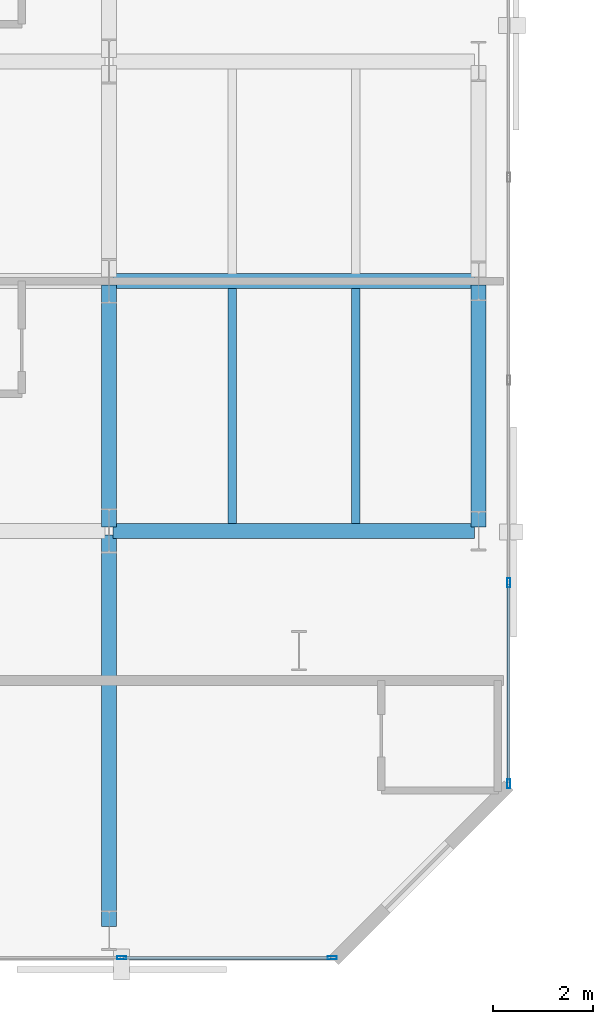
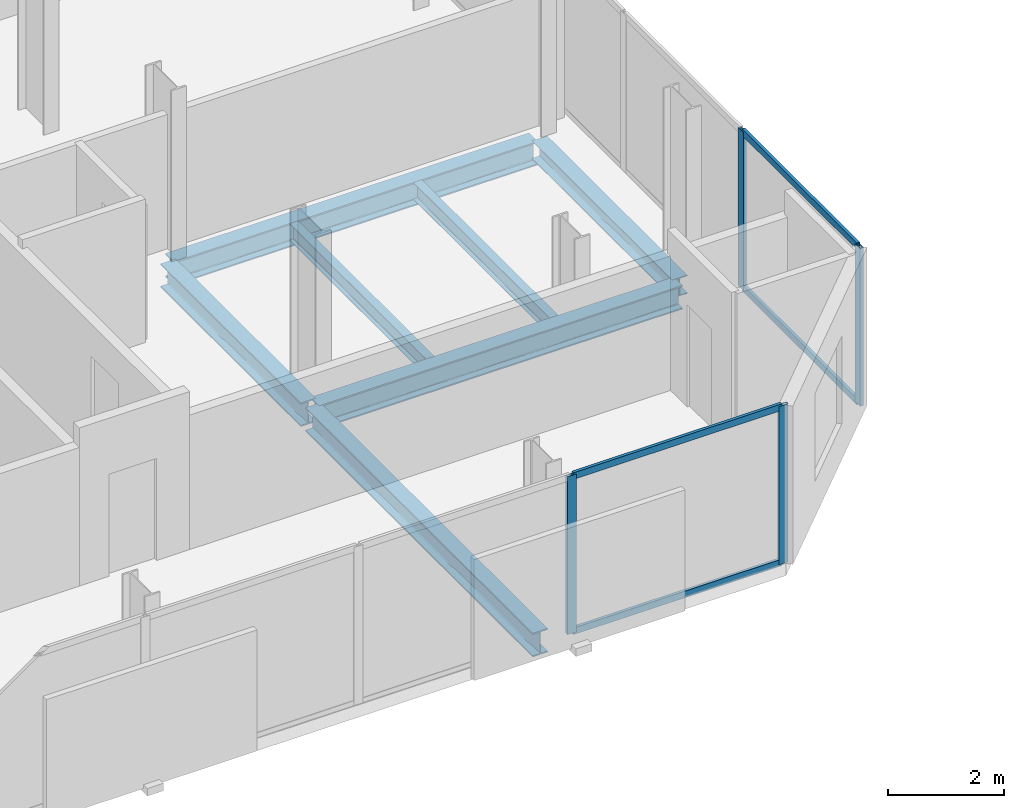
# One storey, part 7 of 32: 8 members, 7 beams, 2 elements without a shape of their own.
"""IFC4 building model written with IfcOpenShell, lengths in metres."""

from ifc_helpers import new_model, si_unit, direction, frame, origin, origin_2d, place, context, subcontext, project, spatial, hollow_rectangle, i_section, extrude, material, layer, layer_set, material_profile, profile_set, type_object, element, aggregate, save


model = new_model("IFC4")

# Units and contexts
model_context = context("Model", 3, precision=1e-05, world=origin(), true_north=direction((0.0, 1.0)))
body_context = subcontext(model_context, "Body", "Model", "MODEL_VIEW")
ifc_project = project(units=[si_unit("LENGTHUNIT", "METRE"), si_unit("AREAUNIT", "SQUARE_METRE"), si_unit("VOLUMEUNIT", "CUBIC_METRE"), si_unit("PLANEANGLEUNIT", "RADIAN"), si_unit("MASSUNIT", "GRAM", prefix="KILO")], contexts=[model_context])

# Site, building, storey
site_placement = place(None, origin())
site = spatial("IfcSite", under=ifc_project, at=site_placement, CompositionType="ELEMENT")
building_placement = place(site_placement, origin())
building = spatial("IfcBuilding", under=site, at=building_placement, Name="Catumbela Crestline Tower", CompositionType="ELEMENT")
storey_placement = place(building_placement, frame((0.0, 0.0, 65.4)))
storey = spatial("IfcBuildingStorey", under=building, at=storey_placement, Name="L16", CompositionType="ELEMENT", Elevation=65.4)

# Beams
ifc_material_1 = material(Name="Structural steel S355J2", Category="steel")
ifc_material_profile_1 = material_profile(ifc_material_1, i_section(OverallWidth=0.3, OverallDepth=0.5, WebThickness=0.0145, FlangeThickness=0.028, FilletRadius=0.027, at=origin_2d()), Name="HEB 500")
ifc_profile_set_1 = profile_set([ifc_material_profile_1], Name="Structural steel S355J2")
beam_type_1 = type_object("IfcBeamType", Name="BG-HEB500", PredefinedType="BEAM", material=ifc_profile_set_1)
for number, where, z_axis, x_axis, name in (
    (1, (16.08, 8.6, -0.51), (1.0, 0.0, 0.0), (0.0, 1.0, 0.0), "L16 Beam BM-L16-WEW50"),
    (2, (16.08, 13.6, -0.51), (1.0, 0.0, 0.0), (0.0, 1.0, 0.0), "L16 Beam BM-L16-WEW53"),
):
    element("IfcBeam", number, at=place(storey_placement, frame(where, z_axis=z_axis, x_axis=x_axis)), inside=storey, type_object=beam_type_1, Name=name, PredefinedType="BEAM", context=body_context, shape_type="SweptSolid", body=[
        extrude(i_section(OverallWidth=0.3, OverallDepth=0.5, WebThickness=0.0145, FlangeThickness=0.028, FilletRadius=0.027, at=origin_2d()), origin(), (0.0, 0.0, 1.0), 7.24),
    ])
beam_1_placement = place(storey_placement, frame((16.0, 0.68, -0.51), z_axis=(0.0, 1.0, 0.0), x_axis=(-1.0, 0.0, 0.0)))
element("IfcBeam", 3, at=beam_1_placement, inside=storey, type_object=beam_type_1, Name="L16 Beam BM-L16-WNS64", PredefinedType="BEAM", context=body_context, shape_type="SweptSolid", body=[
    extrude(i_section(OverallWidth=0.3, OverallDepth=0.5, WebThickness=0.0145, FlangeThickness=0.028, FilletRadius=0.027, at=origin_2d()), origin(), (0.0, 0.0, 1.0), 7.84),
])
beam_2_placement = place(storey_placement, frame((16.0, 8.68, -0.51), z_axis=(0.0, 1.0, 0.0), x_axis=(-1.0, 0.0, 0.0)))
element("IfcBeam", 4, at=beam_2_placement, inside=storey, type_object=beam_type_1, Name="L16 Beam BM-L16-WNS65", PredefinedType="BEAM", context=body_context, shape_type="SweptSolid", body=[
    extrude(i_section(OverallWidth=0.3, OverallDepth=0.5, WebThickness=0.0145, FlangeThickness=0.028, FilletRadius=0.027, at=origin_2d()), origin(), (0.0, 0.0, 1.0), 4.84),
])
ifc_material_profile_2 = material_profile(ifc_material_1, i_section(OverallWidth=0.17, OverallDepth=0.36, WebThickness=0.008, FlangeThickness=0.0127, FilletRadius=0.018, at=origin_2d()), Name="IPE 360")
ifc_profile_set_2 = profile_set([ifc_material_profile_2], Name="Structural steel S355J2")
beam_type_2 = type_object("IfcBeamType", Name="BJ-IPE360", PredefinedType="JOIST", material=ifc_profile_set_2)
for number, where, z_axis, x_axis, name in (
    (5, (18.467, 8.747, -0.44), (0.0, 1.0, 0.0), (-1.0, 0.0, 0.0), "L16 Joist JS-L16-WG74"),
    (6, (20.933, 8.747, -0.44), (0.0, 1.0, 0.0), (-1.0, 0.0, 0.0), "L16 Joist JS-L16-WG75"),
):
    element("IfcBeam", number, at=place(storey_placement, frame(where, z_axis=z_axis, x_axis=x_axis)), inside=storey, type_object=beam_type_2, Name=name, PredefinedType="JOIST", context=body_context, shape_type="SweptSolid", body=[
        extrude(i_section(OverallWidth=0.17, OverallDepth=0.36, WebThickness=0.008, FlangeThickness=0.0127, FilletRadius=0.018, at=origin_2d()), origin(), (0.0, 0.0, 1.0), 4.706),
    ])

# Curtain wall, members
ifc_material_2 = material(Name="Aluminium alloy AW-6060-T66", Category="aluminium")
ifc_layer = layer(ifc_material_2, 0.18, Name="Aluminium alloy AW-6060-T66")
ifc_layer_set = layer_set([ifc_layer], Name="Aluminium alloy AW-6060-T66")
curtain_wall_type = type_object("IfcCurtainWallType", Name="CWU-Z1", PredefinedType="USERDEFINED", material=ifc_layer_set)
curtain_wall_1_placement = place(storey_placement, origin())
curtain_wall_1 = element("IfcCurtainWall", 7, at=curtain_wall_1_placement, inside=storey, type_object=curtain_wall_type, Name="L16 Unitised Curtain Wall CW-L16-E0S1", ObjectType="UNITISED", PredefinedType="USERDEFINED")
ifc_material_profile_3 = material_profile(ifc_material_2, hollow_rectangle(XDim=0.065, YDim=0.18, WallThickness=0.004, at=origin_2d()), Name="ALU 180x65x4")
ifc_profile_set_3 = profile_set([ifc_material_profile_3], Name="Aluminium alloy AW-6060-T66")
member_type_1 = type_object("IfcMemberType", Name="MUL-180X65", PredefinedType="MULLION", material=ifc_profile_set_3)
member_1_placement = place(storey_placement, frame((16.25, 0.05, 0.0), z_axis=(0.0, 0.0, 1.0), x_axis=(0.0, 1.0, 0.0)))
member_1 = element("IfcMember", 8, at=member_1_placement, type_object=member_type_1, Name="CWU-Z1 mullion 4", PredefinedType="MULLION", context=body_context, shape_type="SweptSolid", body=[
    extrude(hollow_rectangle(XDim=0.065, YDim=0.18, WallThickness=0.004, at=origin_2d()), origin(), (0.0, 0.0, 1.0), 3.33),
])
member_2_placement = place(storey_placement, frame((20.4675, 0.05, 0.0), z_axis=(0.0, 0.0, 1.0), x_axis=(0.0, 1.0, 0.0)))
member_2 = element("IfcMember", 9, at=member_2_placement, type_object=member_type_1, Name="CWU-Z1 mullion 5", PredefinedType="MULLION", context=body_context, shape_type="SweptSolid", body=[
    extrude(hollow_rectangle(XDim=0.065, YDim=0.18, WallThickness=0.004, at=origin_2d()), origin(), (0.0, 0.0, 1.0), 3.33),
])

curtain_wall_2_placement = place(storey_placement, origin())
curtain_wall_2 = element("IfcCurtainWall", 10, at=curtain_wall_2_placement, inside=storey, type_object=curtain_wall_type, Name="L16 Unitised Curtain Wall CW-L16-E2S1", ObjectType="UNITISED", PredefinedType="USERDEFINED")
member_3_placement = place(storey_placement, frame((24.0, 3.5325, 0.0), z_axis=(0.0, 0.0, 1.0), x_axis=(-1.0, 0.0, 0.0)))
member_3 = element("IfcMember", 11, at=member_3_placement, type_object=member_type_1, Name="CWU-Z1 mullion 1", PredefinedType="MULLION", context=body_context, shape_type="SweptSolid", body=[
    extrude(hollow_rectangle(XDim=0.065, YDim=0.18, WallThickness=0.004, at=origin_2d()), origin(), (0.0, 0.0, 1.0), 3.33),
])
member_4_placement = place(storey_placement, frame((24.0, 7.56, 0.0), z_axis=(0.0, 0.0, 1.0), x_axis=(-1.0, 0.0, 0.0)))
member_4 = element("IfcMember", 12, at=member_4_placement, type_object=member_type_1, Name="CWU-Z1 mullion 2", PredefinedType="MULLION", context=body_context, shape_type="SweptSolid", body=[
    extrude(hollow_rectangle(XDim=0.065, YDim=0.18, WallThickness=0.004, at=origin_2d()), origin(), (0.0, 0.0, 1.0), 3.33),
])

# Beam
ifc_material_profile_4 = material_profile(ifc_material_1, i_section(OverallWidth=0.3, OverallDepth=0.39, WebThickness=0.011, FlangeThickness=0.019, FilletRadius=0.027, at=origin_2d()), Name="HEA 400")
ifc_profile_set_4 = profile_set([ifc_material_profile_4], Name="Structural steel S355J2")
beam_type_3 = type_object("IfcBeamType", Name="BS-HEA400", PredefinedType="SPANDREL", material=ifc_profile_set_4)
beam_3_placement = place(storey_placement, frame((23.4, 8.68, -0.455), z_axis=(0.0, 1.0, 0.0), x_axis=(-1.0, 0.0, 0.0)))
element("IfcBeam", 13, at=beam_3_placement, inside=storey, type_object=beam_type_3, Name="L16 Spandrel SP-L16-WNS68", PredefinedType="SPANDREL", context=body_context, shape_type="SweptSolid", body=[
    extrude(i_section(OverallWidth=0.3, OverallDepth=0.39, WebThickness=0.011, FlangeThickness=0.019, FilletRadius=0.027, at=origin_2d()), origin(), (0.0, 0.0, 1.0), 4.84),
])

# Member
ifc_material_profile_5 = material_profile(ifc_material_2, hollow_rectangle(XDim=0.06, YDim=0.14, WallThickness=0.004, at=origin_2d()), Name="ALU 140x60x4")
ifc_profile_set_5 = profile_set([ifc_material_profile_5], Name="Aluminium alloy AW-6060-T66")
member_type_2 = type_object("IfcMemberType", Name="TRN-140X60", PredefinedType="USERDEFINED", material=ifc_profile_set_5)
member_5_placement = place(storey_placement, frame((16.2825, 0.05, 0.03), z_axis=(1.0, 0.0, 0.0), x_axis=(0.0, 1.0, 0.0)))
member_5 = element("IfcMember", 14, at=member_5_placement, type_object=member_type_2, Name="CWU-Z1 transom 4.1", ObjectType="TRANSOM", PredefinedType="USERDEFINED", context=body_context, shape_type="SweptSolid", body=[
    extrude(hollow_rectangle(XDim=0.06, YDim=0.14, WallThickness=0.004, at=origin_2d()), origin(), (0.0, 0.0, 1.0), 4.1525),
])

member_6_placement = place(storey_placement, frame((16.2825, 0.05, 3.3), z_axis=(1.0, 0.0, 0.0), x_axis=(0.0, 1.0, 0.0)))
member_6 = element("IfcMember", 15, at=member_6_placement, type_object=member_type_2, Name="CWU-Z1 transom 4.2", ObjectType="TRANSOM", PredefinedType="USERDEFINED", context=body_context, shape_type="SweptSolid", body=[
    extrude(hollow_rectangle(XDim=0.06, YDim=0.14, WallThickness=0.004, at=origin_2d()), origin(), (0.0, 0.0, 1.0), 4.1525),
])

aggregate(curtain_wall_1, [member_1, member_2, member_5, member_6])

member_7_placement = place(storey_placement, frame((24.0, 3.565, 0.03), z_axis=(0.0, 1.0, 0.0), x_axis=(-1.0, 0.0, 0.0)))
member_7 = element("IfcMember", 16, at=member_7_placement, type_object=member_type_2, Name="CWU-Z1 transom 1.1", ObjectType="TRANSOM", PredefinedType="USERDEFINED", context=body_context, shape_type="SweptSolid", body=[
    extrude(hollow_rectangle(XDim=0.06, YDim=0.14, WallThickness=0.004, at=origin_2d()), origin(), (0.0, 0.0, 1.0), 3.9625),
])

member_8_placement = place(storey_placement, frame((24.0, 3.565, 3.3), z_axis=(0.0, 1.0, 0.0), x_axis=(-1.0, 0.0, 0.0)))
member_8 = element("IfcMember", 17, at=member_8_placement, type_object=member_type_2, Name="CWU-Z1 transom 1.2", ObjectType="TRANSOM", PredefinedType="USERDEFINED", context=body_context, shape_type="SweptSolid", body=[
    extrude(hollow_rectangle(XDim=0.06, YDim=0.14, WallThickness=0.004, at=origin_2d()), origin(), (0.0, 0.0, 1.0), 3.9625),
])

aggregate(curtain_wall_2, [member_3, member_4, member_7, member_8])

save(model, "model.ifc")
